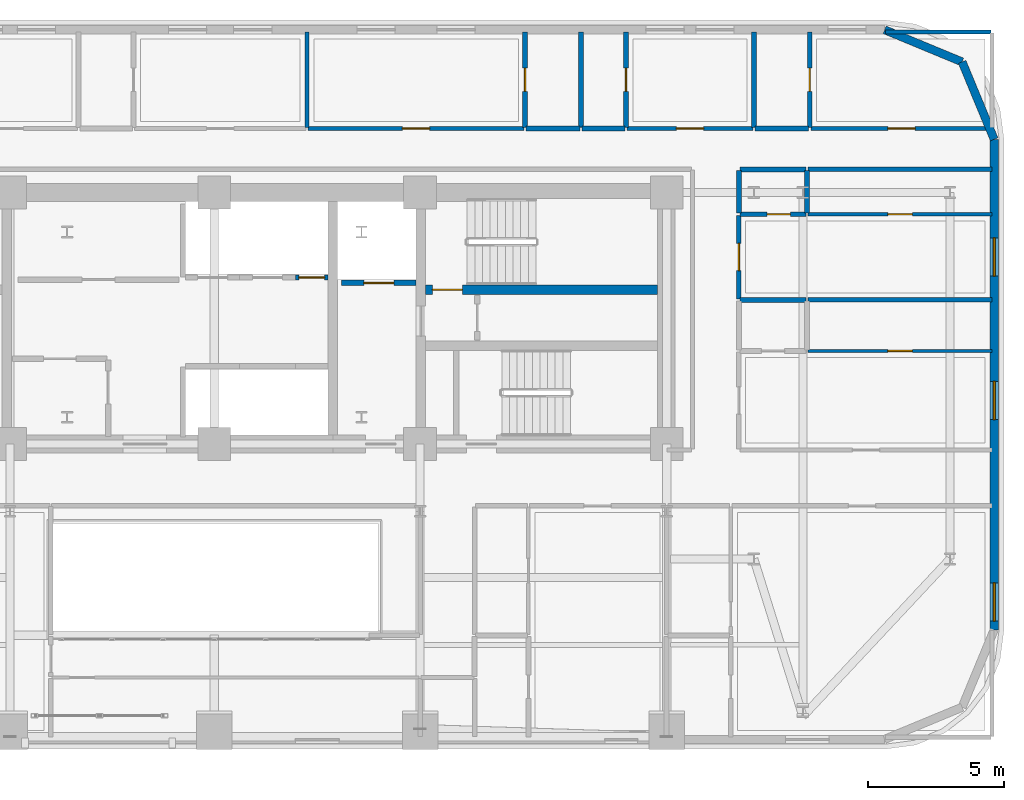
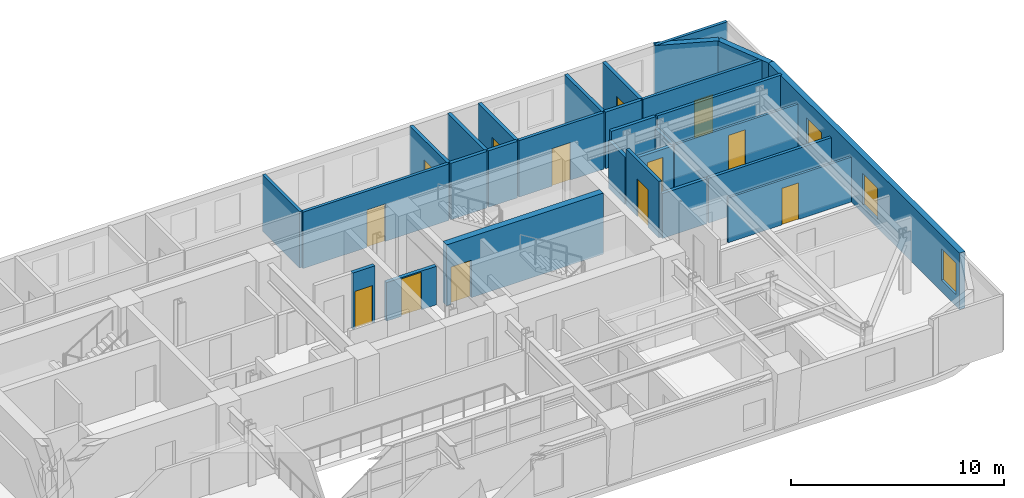
# One storey, part 12 of 16: 29 walls, 13 doors, 3 windows, 16 openings.
"""IFC4 building model written with IfcOpenShell, lengths in metres."""

from ifc_helpers import new_model, si_unit, direction, frame, frame_2d, origin, place, context, subcontext, project, spatial, rectangle, extrude, material, layer, layer_set, type_object, element, fill, save


model = new_model("IFC4")

# Units and contexts
model_context = context("Model", 3, precision=1e-05, world=origin(), true_north=direction((0.0, 1.0)))
body_context = subcontext(model_context, "Body", "Model", "MODEL_VIEW")
ifc_project = project(units=[si_unit("LENGTHUNIT", "METRE"), si_unit("AREAUNIT", "SQUARE_METRE"), si_unit("VOLUMEUNIT", "CUBIC_METRE"), si_unit("PLANEANGLEUNIT", "RADIAN"), si_unit("MASSUNIT", "GRAM", prefix="KILO")], contexts=[model_context])

# Site, building, storey
site_placement = place(None, origin())
site = spatial("IfcSite", under=ifc_project, at=site_placement, CompositionType="ELEMENT")
building_placement = place(site_placement, origin())
building = spatial("IfcBuilding", under=site, at=building_placement, Name="Zarnavel Station Tower", CompositionType="ELEMENT")
storey_placement = place(building_placement, frame((0.0, 0.0, 97.800048828125)))
storey = spatial("IfcBuildingStorey", under=building, at=storey_placement, Name="L26", CompositionType="ELEMENT", Elevation=97.800048828125)

# Wall, opening, door
ifc_material_1 = material(Name="Concrete C50/60", Category="concrete")
ifc_layer_1 = layer(ifc_material_1, 0.35009765625)
ifc_layer_set_1 = layer_set([ifc_layer_1], Name="CW_350")
wall_type_1 = type_object("IfcWallType", Name="CW_350", PredefinedType="SHEAR", material=ifc_layer_set_1)
wall_1_placement = place(storey_placement, frame((45.054931640625, 33.47998046875, 0.0), z_axis=(0.0, 0.0, 1.0), x_axis=(-1.0, 0.0, 0.0)))
wall_1 = element("IfcWall", 1, at=wall_1_placement, inside=storey, type_object=wall_type_1, Name="L26 Rear Core Shear Wall DIV-H2", PredefinedType="SHEAR", context=body_context, shape_type="SweptSolid", body=[
    extrude(rectangle(XDim=8.5, YDim=0.35009765625, at=frame_2d((4.25, 0.0))), origin(), (0.0, 0.0, 1.0), 3.5),
])
opening_1_placement = place(wall_1_placement, frame((7.155029296875, 0.0, 0.0)))
opening_1 = element("IfcOpeningElement", 2, at=opening_1_placement, cuts=wall_1, Name="Opening FD01", PredefinedType="OPENING", context=body_context, shape_type="SweptSolid", body=[
    extrude(rectangle(XDim=1.10009765625, YDim=2.14990234375, at=frame_2d((0.550048828125, 1.074951171875))), frame((0.0, 0.18505859375, 0.0), z_axis=(0.0, -1.0, 0.0), x_axis=(1.0, 0.0, 0.0)), (0.0, 0.0, 1.0), 0.3701171875),
])
ifc_material_2 = material(Name="Painted Galvanised Steel and Hardwood Leaf", Category="steel")
door_type_1 = type_object("IfcDoorType", Name="ID_STAIR_1100", OperationType="NOTDEFINED", PredefinedType="DOOR", material=ifc_material_2)
door_1_placement = place(opening_1_placement, origin())
door_1 = element("IfcDoor", 3, at=door_1_placement, inside=storey, type_object=door_type_1, Name="L26 Stair ST2 Lobby Fire Door", OperationType="SINGLE_SWING_RIGHT", OverallHeight=2.14990234375, OverallWidth=1.10009765625, PredefinedType="DOOR", context=body_context, shape_type="SweptSolid", body=[
    extrude(rectangle(XDim=1.10009765625, YDim=2.14990234375, at=frame_2d((0.550048828125, 1.074951171875))), frame((0.0, 0.02490234375, 0.0), z_axis=(0.0, -1.0, 0.0), x_axis=(1.0, 0.0, 0.0)), (0.0, 0.0, 1.0), 0.050048828125),
])
fill(opening_1, door_1)

# Wall, openings, windows
ifc_material_3 = material(Name="Precast concrete C45/55 (Dark Basalt Finish)", Category="masonry")
ifc_layer_2 = layer(ifc_material_3, 0.300048828125)
ifc_layer_set_2 = layer_set([ifc_layer_2], Name="EW_BASALT_300")
wall_type_2 = type_object("IfcWallType", Name="EW_BASALT_300", PredefinedType="SOLIDWALL", material=ifc_layer_set_2)
wall_2_placement = place(storey_placement, frame((57.419921875, 39.0, 0.0), z_axis=(0.0, 0.0, 1.0), x_axis=(0.0, -1.0, 0.0)))
wall_2 = element("IfcWall", 4, at=wall_2_placement, inside=storey, type_object=wall_type_2, Name="L26 Exterior Basalt Masonry Frame Wall 03", PredefinedType="SOLIDWALL", context=body_context, shape_type="SweptSolid", body=[
    extrude(rectangle(XDim=18.0, YDim=0.300048828125, at=frame_2d((9.0, 0.0))), origin(), (0.0, 0.0, 1.0), 3.239990234375),
])
opening_2_placement = place(wall_2_placement, frame((8.882080078125, 0.0, 0.47998046875)))
opening_2 = element("IfcOpeningElement", 5, at=opening_2_placement, cuts=wall_2, Name="Opening WN01", PredefinedType="OPENING", context=body_context, shape_type="SweptSolid", body=[
    extrude(rectangle(XDim=1.39990234375, YDim=1.800048828125, at=frame_2d((0.699951171875, 0.89990234375))), frame((0.0, 0.159912109375, 0.0), z_axis=(0.0, -1.0, 0.0), x_axis=(1.0, 0.0, 0.0)), (0.0, 0.0, 1.0), 0.320068359375),
])
opening_3_placement = place(wall_2_placement, frame((3.62060546875, 0.0, 0.47998046875)))
opening_3 = element("IfcOpeningElement", 6, at=opening_3_placement, cuts=wall_2, Name="Opening WN01", PredefinedType="OPENING", context=body_context, shape_type="SweptSolid", body=[
    extrude(rectangle(XDim=1.39990234375, YDim=1.800048828125, at=frame_2d((0.699951171875, 0.89990234375))), frame((0.0, 0.159912109375, 0.0), z_axis=(0.0, -1.0, 0.0), x_axis=(1.0, 0.0, 0.0)), (0.0, 0.0, 1.0), 0.320068359375),
])
opening_4_placement = place(wall_2_placement, frame((16.280029296875, 0.0, 0.64990234375)))
opening_4 = element("IfcOpeningElement", 7, at=opening_4_placement, cuts=wall_2, Name="Opening WN01", PredefinedType="OPENING", context=body_context, shape_type="SweptSolid", body=[
    extrude(rectangle(XDim=1.39990234375, YDim=1.800048828125, at=frame_2d((0.699951171875, 0.89990234375))), frame((0.0, 0.159912109375, 0.0), z_axis=(0.0, -1.0, 0.0), x_axis=(1.0, 0.0, 0.0)), (0.0, 0.0, 1.0), 0.320068359375),
])
ifc_material_4 = material(Name="Thermally Broken Black Aluminium and Low-E Dark Glass", Category="aluminium")
window_type = type_object("IfcWindowType", Name="WN_1400x1800", PartitioningType="DOUBLE_PANEL_VERTICAL", PredefinedType="WINDOW", material=ifc_material_4)
window_1_placement = place(opening_2_placement, origin())
window_1 = element("IfcWindow", 8, at=window_1_placement, inside=storey, type_object=window_type, Name="L26 Recessed Facade Window 01", OverallHeight=1.800048828125, OverallWidth=1.39990234375, PartitioningType="SINGLE_PANEL", PredefinedType="WINDOW", context=body_context, shape_type="SweptSolid", body=[
    extrude(rectangle(XDim=1.39990234375, YDim=1.800048828125, at=frame_2d((0.699951171875, 0.89990234375))), frame((0.0, 0.030029296875, 0.0), z_axis=(0.0, -1.0, 0.0), x_axis=(1.0, 0.0, 0.0)), (0.0, 0.0, 1.0), 0.06005859375),
])
fill(opening_2, window_1)
window_2_placement = place(opening_3_placement, origin())
window_2 = element("IfcWindow", 9, at=window_2_placement, inside=storey, type_object=window_type, Name="L26 Recessed Facade Window 02", OverallHeight=1.800048828125, OverallWidth=1.39990234375, PartitioningType="SINGLE_PANEL", PredefinedType="WINDOW", context=body_context, shape_type="SweptSolid", body=[
    extrude(rectangle(XDim=1.39990234375, YDim=1.800048828125, at=frame_2d((0.699951171875, 0.89990234375))), frame((0.0, 0.030029296875, 0.0), z_axis=(0.0, -1.0, 0.0), x_axis=(1.0, 0.0, 0.0)), (0.0, 0.0, 1.0), 0.06005859375),
])
fill(opening_3, window_2)
window_3_placement = place(opening_4_placement, origin())
window_3 = element("IfcWindow", 10, at=window_3_placement, inside=storey, type_object=window_type, Name="L26 Recessed Facade Window 03", OverallHeight=1.800048828125, OverallWidth=1.39990234375, PartitioningType="SINGLE_PANEL", PredefinedType="WINDOW", context=body_context, shape_type="SweptSolid", body=[
    extrude(rectangle(XDim=1.39990234375, YDim=1.800048828125, at=frame_2d((0.699951171875, 0.89990234375))), frame((0.0, 0.030029296875, 0.0), z_axis=(0.0, -1.0, 0.0), x_axis=(1.0, 0.0, 0.0)), (0.0, 0.0, 1.0), 0.06005859375),
])
fill(opening_4, window_3)

# Walls
wall_3_placement = place(storey_placement, frame((56.24267578125, 41.842529296875, 0.0), z_axis=(0.0, 0.0, 1.0), x_axis=(0.382636798336, -0.92389884758, 0.0)))
element("IfcWall", 11, at=wall_3_placement, inside=storey, type_object=wall_type_2, Name="L26 Exterior Basalt Masonry Frame Wall 04", PredefinedType="SOLIDWALL", context=body_context, shape_type="SweptSolid", body=[
    extrude(rectangle(XDim=3.07666015625, YDim=0.300048828125, at=frame_2d((1.538330078125, 0.0))), origin(), (0.0, 0.0, 1.0), 3.239990234375),
])
wall_4_placement = place(storey_placement, frame((53.39990234375, 43.02001953125, 0.0), z_axis=(0.0, 0.0, 1.0), x_axis=(0.923882414032, -0.382676475685, 0.0)))
element("IfcWall", 12, at=wall_4_placement, inside=storey, type_object=wall_type_2, Name="L26 Exterior Basalt Masonry Frame Wall 05", PredefinedType="SOLIDWALL", context=body_context, shape_type="SweptSolid", body=[
    extrude(rectangle(XDim=3.076904296875, YDim=0.300048828125, at=frame_2d((1.53857421875, 0.0))), origin(), (0.0, 0.0, 1.0), 3.239990234375),
])

# Wall, opening, door
ifc_material_5 = material(Name="Gypsum Twin-Stud Acoustic Fire Partition", Category="concrete")
ifc_layer_3 = layer(ifc_material_5, 0.159912109375)
ifc_layer_set_3 = layer_set([ifc_layer_3], Name="PT_DEMISE_160")
wall_type_3 = type_object("IfcWallType", Name="PT_DEMISE_160", PredefinedType="PARTITIONING", material=ifc_layer_set_3)
wall_5_placement = place(storey_placement, frame((48.050048828125, 33.14892578125, 0.0), z_axis=(0.0, 0.0, 1.0), x_axis=(0.0, 1.0, 0.0)))
wall_5 = element("IfcWall", 13, at=wall_5_placement, inside=storey, type_object=wall_type_3, Name="L26 Partition COR-E-FNE2R", PredefinedType="PARTITIONING", context=body_context, shape_type="SweptSolid", body=[
    extrude(rectangle(XDim=3.06103515625, YDim=0.159912109375, at=frame_2d((1.530517578125, 0.0))), origin(), (0.0, 0.0, 1.0), 3.239990234375),
])
opening_5_placement = place(wall_5_placement, frame((1.030517578125, 0.0, 0.0)))
opening_5 = element("IfcOpeningElement", 14, at=opening_5_placement, cuts=wall_5, Name="Opening FD02", PredefinedType="OPENING", context=body_context, shape_type="SweptSolid", body=[
    extrude(rectangle(XDim=1.0, YDim=2.14990234375, at=frame_2d((0.5, 1.074951171875))), frame((0.0, 0.08984375, 0.0), z_axis=(0.0, -1.0, 0.0), x_axis=(1.0, 0.0, 0.0)), (0.0, 0.0, 1.0), 0.179931640625),
])
ifc_material_6 = material(Name="Painted Galvanised Steel and Hardwood Leaf", Category="steel")
door_type_2 = type_object("IfcDoorType", Name="ID_ENTRY_1000", OperationType="NOTDEFINED", PredefinedType="DOOR", material=ifc_material_6)
door_2_placement = place(opening_5_placement, origin())
door_2 = element("IfcDoor", 15, at=door_2_placement, inside=storey, type_object=door_type_2, Name="L26 Door COR-E-FNE2R", OperationType="SINGLE_SWING_LEFT", OverallHeight=2.14990234375, OverallWidth=1.0, PredefinedType="DOOR", context=body_context, shape_type="SweptSolid", body=[
    extrude(rectangle(XDim=1.0, YDim=2.14990234375, at=frame_2d((0.5, 1.074951171875))), frame((0.0, 0.02490234375, 0.0), z_axis=(0.0, -1.0, 0.0), x_axis=(1.0, 0.0, 0.0)), (0.0, 0.0, 1.0), 0.050048828125),
])
fill(opening_5, door_2)

# Wall
wall_6_placement = place(storey_placement, frame((50.590087890625, 37.89990234375, 0.0), z_axis=(0.0, 0.0, 1.0), x_axis=(1.0, 0.0, 0.0)))
element("IfcWall", 16, at=wall_6_placement, inside=storey, type_object=wall_type_3, Name="L26 Partition COR-N-FNE2S", PredefinedType="PARTITIONING", context=body_context, shape_type="SweptSolid", body=[
    extrude(rectangle(XDim=6.75, YDim=0.159912109375, at=frame_2d((3.375, 0.0))), origin(), (0.0, 0.0, 1.0), 3.239990234375),
])

# Wall, opening, door
wall_7_placement = place(storey_placement, frame((32.239990234375, 39.39990234375, 0.0), z_axis=(0.0, 0.0, 1.0), x_axis=(1.0, 0.0, 0.0)))
wall_7 = element("IfcWall", 17, at=wall_7_placement, inside=storey, type_object=wall_type_3, Name="L26 Partition COR-N-HN4R", PredefinedType="PARTITIONING", context=body_context, shape_type="SweptSolid", body=[
    extrude(rectangle(XDim=7.926025390625, YDim=0.159912109375, at=frame_2d((3.962890625, 0.0))), origin(), (0.0, 0.0, 1.0), 3.239990234375),
])
opening_6_placement = place(wall_7_placement, frame((3.462890625, 0.0, 0.0)))
opening_6 = element("IfcOpeningElement", 18, at=opening_6_placement, cuts=wall_7, Name="Opening FD02", PredefinedType="OPENING", context=body_context, shape_type="SweptSolid", body=[
    extrude(rectangle(XDim=1.0, YDim=2.14990234375, at=frame_2d((0.5, 1.074951171875))), frame((0.0, 0.08984375, 0.0), z_axis=(0.0, -1.0, 0.0), x_axis=(1.0, 0.0, 0.0)), (0.0, 0.0, 1.0), 0.179931640625),
])
door_3_placement = place(opening_6_placement, origin())
door_3 = element("IfcDoor", 19, at=door_3_placement, inside=storey, type_object=door_type_2, Name="L26 Door COR-N-HN4R", OperationType="SINGLE_SWING_RIGHT", OverallHeight=2.14990234375, OverallWidth=1.0, PredefinedType="DOOR", context=body_context, shape_type="SweptSolid", body=[
    extrude(rectangle(XDim=1.0, YDim=2.14990234375, at=frame_2d((0.5, 1.074951171875))), frame((0.0, 0.02490234375, 0.0), z_axis=(0.0, -1.0, 0.0), x_axis=(1.0, 0.0, 0.0)), (0.0, 0.0, 1.0), 0.050048828125),
])
fill(opening_6, door_3)

wall_8_placement = place(storey_placement, frame((43.946044921875, 39.39990234375, 0.0), z_axis=(0.0, 0.0, 1.0), x_axis=(1.0, 0.0, 0.0)))
wall_8 = element("IfcWall", 20, at=wall_8_placement, inside=storey, type_object=wall_type_3, Name="L26 Partition COR-N-HN5R", PredefinedType="PARTITIONING", context=body_context, shape_type="SweptSolid", body=[
    extrude(rectangle(XDim=4.614013671875, YDim=0.159912109375, at=frame_2d((2.30712890625, 0.0))), origin(), (0.0, 0.0, 1.0), 3.239990234375),
])
opening_7_placement = place(wall_8_placement, frame((1.806884765625, 0.0, 0.0)))
opening_7 = element("IfcOpeningElement", 21, at=opening_7_placement, cuts=wall_8, Name="Opening FD02", PredefinedType="OPENING", context=body_context, shape_type="SweptSolid", body=[
    extrude(rectangle(XDim=1.0, YDim=2.14990234375, at=frame_2d((0.5, 1.074951171875))), frame((0.0, 0.08984375, 0.0), z_axis=(0.0, -1.0, 0.0), x_axis=(1.0, 0.0, 0.0)), (0.0, 0.0, 1.0), 0.179931640625),
])
door_4_placement = place(opening_7_placement, origin())
door_4 = element("IfcDoor", 22, at=door_4_placement, inside=storey, type_object=door_type_2, Name="L26 Door COR-N-HN5R", OperationType="SINGLE_SWING_LEFT", OverallHeight=2.14990234375, OverallWidth=1.0, PredefinedType="DOOR", context=body_context, shape_type="SweptSolid", body=[
    extrude(rectangle(XDim=1.0, YDim=2.14990234375, at=frame_2d((0.5, 1.074951171875))), frame((0.0, 0.02490234375, 0.0), z_axis=(0.0, -1.0, 0.0), x_axis=(1.0, 0.0, 0.0)), (0.0, 0.0, 1.0), 0.050048828125),
])
fill(opening_7, door_4)

wall_9_placement = place(storey_placement, frame((50.68994140625, 39.39990234375, 0.0), z_axis=(0.0, 0.0, 1.0), x_axis=(1.0, 0.0, 0.0)))
wall_9 = element("IfcWall", 23, at=wall_9_placement, inside=storey, type_object=wall_type_3, Name="L26 Partition COR-N-HN6R", PredefinedType="PARTITIONING", context=body_context, shape_type="SweptSolid", body=[
    extrude(rectangle(XDim=6.650146484375, YDim=0.159912109375, at=frame_2d((3.3251953125, 0.0))), origin(), (0.0, 0.0, 1.0), 3.239990234375),
])
opening_8_placement = place(wall_9_placement, frame((2.824951171875, 0.0, 0.0)))
opening_8 = element("IfcOpeningElement", 24, at=opening_8_placement, cuts=wall_9, Name="Opening FD02", PredefinedType="OPENING", context=body_context, shape_type="SweptSolid", body=[
    extrude(rectangle(XDim=1.0, YDim=2.14990234375, at=frame_2d((0.5, 1.074951171875))), frame((0.0, 0.08984375, 0.0), z_axis=(0.0, -1.0, 0.0), x_axis=(1.0, 0.0, 0.0)), (0.0, 0.0, 1.0), 0.179931640625),
])
door_5_placement = place(opening_8_placement, origin())
door_5 = element("IfcDoor", 25, at=door_5_placement, inside=storey, type_object=door_type_2, Name="L26 Door COR-N-HN6R", OperationType="SINGLE_SWING_RIGHT", OverallHeight=2.14990234375, OverallWidth=1.0, PredefinedType="DOOR", context=body_context, shape_type="SweptSolid", body=[
    extrude(rectangle(XDim=1.0, YDim=2.14990234375, at=frame_2d((0.5, 1.074951171875))), frame((0.0, 0.02490234375, 0.0), z_axis=(0.0, -1.0, 0.0), x_axis=(1.0, 0.0, 0.0)), (0.0, 0.0, 1.0), 0.050048828125),
])
fill(opening_8, door_5)

# Walls
wall_10_placement = place(storey_placement, frame((50.590087890625, 33.10888671875, 0.0), z_axis=(0.0, 0.0, 1.0), x_axis=(1.0, 0.0, 0.0)))
element("IfcWall", 26, at=wall_10_placement, inside=storey, type_object=wall_type_3, Name="L26 Partition FNE1S-FNE2R", PredefinedType="PARTITIONING", context=body_context, shape_type="SweptSolid", body=[
    extrude(rectangle(XDim=6.75, YDim=0.159912109375, at=frame_2d((3.375, 0.0))), origin(), (0.0, 0.0, 1.0), 2.570068359375),
])
wall_11_placement = place(storey_placement, frame((32.199951171875, 39.43994140625, 0.0), z_axis=(0.0, 0.0, 1.0), x_axis=(0.0, 1.0, 0.0)))
element("IfcWall", 27, at=wall_11_placement, inside=storey, type_object=wall_type_3, Name="L26 Partition HN3R-HN4R", PredefinedType="PARTITIONING", context=body_context, shape_type="SweptSolid", body=[
    extrude(rectangle(XDim=3.5, YDim=0.159912109375, at=frame_2d((1.75, 0.0))), origin(), (0.0, 0.0, 1.0), 3.239990234375),
])
wall_12_placement = place(storey_placement, frame((53.429931640625, 42.93994140625, 0.0), z_axis=(0.0, 0.0, 1.0), x_axis=(1.0, 0.0, 0.0)))
element("IfcWall", 28, at=wall_12_placement, inside=storey, type_object=wall_type_3, Name="L26 Enclosure Wall HN6R", PredefinedType="PARTITIONING", context=body_context, shape_type="SweptSolid", body=[
    extrude(rectangle(XDim=3.880126953125, YDim=0.159912109375, at=frame_2d((1.93994140625, 0.0))), origin(), (0.0, 0.0, 1.0), 3.239990234375),
])

# Wall, opening, door
ifc_material_7 = material(Name="Gypsum Metal-Stud Interior Partition", Category="concrete")
ifc_layer_4 = layer(ifc_material_7, 0.1201171875)
ifc_layer_set_4 = layer_set([ifc_layer_4], Name="PT_ROOM_120")
wall_type_4 = type_object("IfcWallType", Name="PT_ROOM_120", PredefinedType="PARTITIONING", material=ifc_layer_set_4)
wall_13_placement = place(storey_placement, frame((50.590087890625, 31.236083984375, 0.0), z_axis=(0.0, 0.0, 1.0), x_axis=(1.0, 0.0, 0.0)))
wall_13 = element("IfcWall", 29, at=wall_13_placement, inside=storey, type_object=wall_type_4, Name="L26 Partition FNE1R-FNE1S", PredefinedType="PARTITIONING", context=body_context, shape_type="SweptSolid", body=[
    extrude(rectangle(XDim=6.75, YDim=0.1201171875, at=frame_2d((3.375, 0.0))), origin(), (0.0, 0.0, 1.0), 2.570068359375),
])
opening_9_placement = place(wall_13_placement, frame((2.925048828125, 0.0, 0.0)))
opening_9 = element("IfcOpeningElement", 30, at=opening_9_placement, cuts=wall_13, Name="Opening ID01", PredefinedType="OPENING", context=body_context, shape_type="SweptSolid", body=[
    extrude(rectangle(XDim=0.89990234375, YDim=2.10009765625, at=frame_2d((0.449951171875, 1.050048828125))), frame((0.0, 0.070068359375, 0.0), z_axis=(0.0, -1.0, 0.0), x_axis=(1.0, 0.0, 0.0)), (0.0, 0.0, 1.0), 0.14013671875),
])
ifc_material_8 = material(Name="Painted Galvanised Steel and Hardwood Leaf", Category="steel")
door_type_3 = type_object("IfcDoorType", Name="ID_ROOM_900", OperationType="NOTDEFINED", PredefinedType="DOOR", material=ifc_material_8)
door_6_placement = place(opening_9_placement, origin())
door_6 = element("IfcDoor", 31, at=door_6_placement, inside=storey, type_object=door_type_3, Name="L26 Door FNE1R-FNE1S", OperationType="SINGLE_SWING_RIGHT", OverallHeight=2.10009765625, OverallWidth=0.89990234375, PredefinedType="DOOR", context=body_context, shape_type="SweptSolid", body=[
    extrude(rectangle(XDim=0.89990234375, YDim=2.10009765625, at=frame_2d((0.449951171875, 1.050048828125))), frame((0.0, 0.02490234375, 0.0), z_axis=(0.0, -1.0, 0.0), x_axis=(1.0, 0.0, 0.0)), (0.0, 0.0, 1.0), 0.050048828125),
])
fill(opening_9, door_6)

wall_14_placement = place(storey_placement, frame((50.590087890625, 36.25, 0.0), z_axis=(0.0, 0.0, 1.0), x_axis=(1.0, 0.0, 0.0)))
wall_14 = element("IfcWall", 32, at=wall_14_placement, inside=storey, type_object=wall_type_4, Name="L26 Partition FNE2R-FNE2S", PredefinedType="PARTITIONING", context=body_context, shape_type="SweptSolid", body=[
    extrude(rectangle(XDim=6.75, YDim=0.1201171875, at=frame_2d((3.375, 0.0))), origin(), (0.0, 0.0, 1.0), 2.570068359375),
])
opening_10_placement = place(wall_14_placement, frame((2.925048828125, 0.0, 0.0)))
opening_10 = element("IfcOpeningElement", 33, at=opening_10_placement, cuts=wall_14, Name="Opening ID01", PredefinedType="OPENING", context=body_context, shape_type="SweptSolid", body=[
    extrude(rectangle(XDim=0.89990234375, YDim=2.10009765625, at=frame_2d((0.449951171875, 1.050048828125))), frame((0.0, 0.070068359375, 0.0), z_axis=(0.0, -1.0, 0.0), x_axis=(1.0, 0.0, 0.0)), (0.0, 0.0, 1.0), 0.14013671875),
])
door_7_placement = place(opening_10_placement, origin())
door_7 = element("IfcDoor", 34, at=door_7_placement, inside=storey, type_object=door_type_3, Name="L26 Door FNE2R-FNE2S", OperationType="SINGLE_SWING_RIGHT", OverallHeight=2.10009765625, OverallWidth=0.89990234375, PredefinedType="DOOR", context=body_context, shape_type="SweptSolid", body=[
    extrude(rectangle(XDim=0.89990234375, YDim=2.10009765625, at=frame_2d((0.449951171875, 1.050048828125))), frame((0.0, 0.02490234375, 0.0), z_axis=(0.0, -1.0, 0.0), x_axis=(1.0, 0.0, 0.0)), (0.0, 0.0, 1.0), 0.050048828125),
])
fill(opening_10, door_7)

ifc_material_9 = material(Name="Precast concrete C45/55 (Fire Shaft Blockwork)", Category="masonry")
ifc_layer_5 = layer(ifc_material_9, 0.199951171875)
ifc_layer_set_5 = layer_set([ifc_layer_5], Name="PT_SHAFT_200")
wall_type_5 = type_object("IfcWallType", Name="PT_SHAFT_200", PredefinedType="PARTITIONING", material=ifc_layer_set_5)
wall_15_placement = place(storey_placement, frame((33.47509765625, 33.72998046875, 0.0), z_axis=(0.0, 0.0, 1.0), x_axis=(1.0, 0.0, 0.0)))
wall_15 = element("IfcWall", 35, at=wall_15_placement, inside=storey, type_object=wall_type_5, Name="L26 Lift FFL-02 Shaft Front Wall", PredefinedType="PARTITIONING", context=body_context, shape_type="SweptSolid", body=[
    extrude(rectangle(XDim=2.724853515625, YDim=0.199951171875, at=frame_2d((1.3623046875, 0.0))), origin(), (0.0, 0.0, 1.0), 2.2119140625),
])
opening_11_placement = place(wall_15_placement, frame((0.8125, 0.0, 0.0)))
opening_11 = element("IfcOpeningElement", 36, at=opening_11_placement, cuts=wall_15, Name="Opening LD01", PredefinedType="OPENING", context=body_context, shape_type="SweptSolid", body=[
    extrude(rectangle(XDim=1.10009765625, YDim=2.14990234375, at=frame_2d((0.550048828125, 1.074951171875))), frame((0.0, 0.10986328125, 0.0), z_axis=(0.0, -1.0, 0.0), x_axis=(1.0, 0.0, 0.0)), (0.0, 0.0, 1.0), 0.219970703125),
])
ifc_material_10 = material(Name="Painted Galvanised Steel and Hardwood Leaf", Category="steel")
door_type_4 = type_object("IfcDoorType", Name="LD_FF_1100", OperationType="DOUBLE_DOOR_SLIDING", PredefinedType="DOOR", material=ifc_material_10)
door_8_placement = place(opening_11_placement, origin())
door_8 = element("IfcDoor", 37, at=door_8_placement, inside=storey, type_object=door_type_4, Name="L26 Lift FFL-02 Sliding Landing Door", OperationType="DOUBLE_DOOR_SLIDING", OverallHeight=2.14990234375, OverallWidth=1.10009765625, PredefinedType="DOOR", context=body_context, shape_type="SweptSolid", body=[
    extrude(rectangle(XDim=1.10009765625, YDim=2.14990234375, at=frame_2d((0.550048828125, 1.074951171875))), frame((0.0, 0.02490234375, 0.0), z_axis=(0.0, -1.0, 0.0), x_axis=(1.0, 0.0, 0.0)), (0.0, 0.0, 1.0), 0.050048828125),
])
fill(opening_11, door_8)

wall_16_placement = place(storey_placement, frame((31.77490234375, 33.929931640625, 0.0), z_axis=(0.0, 0.0, 1.0), x_axis=(1.0, 0.0, 0.0)))
wall_16 = element("IfcWall", 38, at=wall_16_placement, inside=storey, type_object=wall_type_5, Name="L26 Lift PL-M3 Shaft Front Wall", PredefinedType="PARTITIONING", context=body_context, shape_type="SweptSolid", body=[
    extrude(rectangle(XDim=1.2001953125, YDim=0.199951171875, at=frame_2d((0.60009765625, 0.0))), origin(), (0.0, 0.0, 1.0), 3.239990234375),
])
opening_12_placement = place(wall_16_placement, frame((0.125, 0.0, 0.0)))
opening_12 = element("IfcOpeningElement", 39, at=opening_12_placement, cuts=wall_16, Name="Opening LD03", PredefinedType="OPENING", context=body_context, shape_type="SweptSolid", body=[
    extrude(rectangle(XDim=0.949951171875, YDim=2.14990234375, at=frame_2d((0.47509765625, 1.074951171875))), frame((0.0, 0.10986328125, 0.0), z_axis=(0.0, -1.0, 0.0), x_axis=(1.0, 0.0, 0.0)), (0.0, 0.0, 1.0), 0.219970703125),
])
ifc_material_11 = material(Name="Painted Galvanised Steel and Hardwood Leaf", Category="steel")
door_type_5 = type_object("IfcDoorType", Name="LD_PAX_0950", OperationType="DOUBLE_DOOR_SLIDING", PredefinedType="DOOR", material=ifc_material_11)
door_9_placement = place(opening_12_placement, origin())
door_9 = element("IfcDoor", 40, at=door_9_placement, inside=storey, type_object=door_type_5, Name="L26 Lift PL-M3 Sliding Landing Door", OperationType="DOUBLE_DOOR_SLIDING", OverallHeight=2.14990234375, OverallWidth=0.949951171875, PredefinedType="DOOR", context=body_context, shape_type="SweptSolid", body=[
    extrude(rectangle(XDim=0.949951171875, YDim=2.14990234375, at=frame_2d((0.47509765625, 1.074951171875))), frame((0.0, 0.02490234375, 0.0), z_axis=(0.0, -1.0, 0.0), x_axis=(1.0, 0.0, 0.0)), (0.0, 0.0, 1.0), 0.050048828125),
])
fill(opening_12, door_9)

# Walls
ifc_material_12 = material(Name="Moisture-Resistant Plumbing Chase Wall", Category="concrete")
ifc_layer_6 = layer(ifc_material_12, 0.179931640625)
ifc_layer_set_6 = layer_set([ifc_layer_6], Name="PW_PLUMB_180")
wall_type_6 = type_object("IfcWallType", Name="PW_PLUMB_180", PredefinedType="PLUMBINGWALL", material=ifc_layer_set_6)
wall_17_placement = place(storey_placement, frame((48.050048828125, 36.2900390625, 0.0), z_axis=(0.0, 0.0, 1.0), x_axis=(0.0, 1.0, 0.0)))
element("IfcWall", 41, at=wall_17_placement, inside=storey, type_object=wall_type_6, Name="L26 Partition COR-E-FNE2B", PredefinedType="PLUMBINGWALL", context=body_context, shape_type="SweptSolid", body=[
    extrude(rectangle(XDim=1.570068359375, YDim=0.179931640625, at=frame_2d((0.78515625, 0.0))), origin(), (0.0, 0.0, 1.0), 2.719970703125),
])
wall_18_placement = place(storey_placement, frame((48.090087890625, 37.89990234375, 0.0), z_axis=(0.0, 0.0, 1.0), x_axis=(1.0, 0.0, 0.0)))
element("IfcWall", 42, at=wall_18_placement, inside=storey, type_object=wall_type_6, Name="L26 Partition COR-N-FNE2B", PredefinedType="PLUMBINGWALL", context=body_context, shape_type="SweptSolid", body=[
    extrude(rectangle(XDim=2.419921875, YDim=0.179931640625, at=frame_2d((1.2099609375, 0.0))), origin(), (0.0, 0.0, 1.0), 3.239990234375),
])
wall_19_placement = place(storey_placement, frame((40.24609375, 39.39990234375, 0.0), z_axis=(0.0, 0.0, 1.0), x_axis=(1.0, 0.0, 0.0)))
element("IfcWall", 43, at=wall_19_placement, inside=storey, type_object=wall_type_6, Name="L26 Partition COR-N-HN4B", PredefinedType="PLUMBINGWALL", context=body_context, shape_type="SweptSolid", body=[
    extrude(rectangle(XDim=1.969970703125, YDim=0.179931640625, at=frame_2d((0.98486328125, 0.0))), origin(), (0.0, 0.0, 1.0), 3.239990234375),
])
wall_20_placement = place(storey_placement, frame((42.2958984375, 39.39990234375, 0.0), z_axis=(0.0, 0.0, 1.0), x_axis=(1.0, 0.0, 0.0)))
element("IfcWall", 44, at=wall_20_placement, inside=storey, type_object=wall_type_6, Name="L26 Partition COR-N-HN5B", PredefinedType="PLUMBINGWALL", context=body_context, shape_type="SweptSolid", body=[
    extrude(rectangle(XDim=1.570068359375, YDim=0.179931640625, at=frame_2d((0.78515625, 0.0))), origin(), (0.0, 0.0, 1.0), 3.239990234375),
])
wall_21_placement = place(storey_placement, frame((48.639892578125, 39.39990234375, 0.0), z_axis=(0.0, 0.0, 1.0), x_axis=(1.0, 0.0, 0.0)))
element("IfcWall", 45, at=wall_21_placement, inside=storey, type_object=wall_type_6, Name="L26 Partition COR-N-HN6B", PredefinedType="PLUMBINGWALL", context=body_context, shape_type="SweptSolid", body=[
    extrude(rectangle(XDim=1.97021484375, YDim=0.179931640625, at=frame_2d((0.985107421875, 0.0))), origin(), (0.0, 0.0, 1.0), 3.239990234375),
])
wall_22_placement = place(storey_placement, frame((48.090087890625, 33.10888671875, 0.0), z_axis=(0.0, 0.0, 1.0), x_axis=(1.0, 0.0, 0.0)))
element("IfcWall", 46, at=wall_22_placement, inside=storey, type_object=wall_type_6, Name="L26 Partition FNE1B-FNE2R", PredefinedType="PLUMBINGWALL", context=body_context, shape_type="SweptSolid", body=[
    extrude(rectangle(XDim=2.419921875, YDim=0.179931640625, at=frame_2d((1.2099609375, 0.0))), origin(), (0.0, 0.0, 1.0), 2.570068359375),
])

# Wall, opening, door
wall_23_placement = place(storey_placement, frame((50.510009765625, 36.25, 0.0), z_axis=(0.0, 0.0, 1.0), x_axis=(-1.0, 0.0, 0.0)))
wall_23 = element("IfcWall", 47, at=wall_23_placement, inside=storey, type_object=wall_type_6, Name="L26 Partition FNE2R-FNE2B", PredefinedType="PLUMBINGWALL", context=body_context, shape_type="SweptSolid", body=[
    extrude(rectangle(XDim=2.419921875, YDim=0.179931640625, at=frame_2d((1.2099609375, 0.0))), origin(), (0.0, 0.0, 1.0), 2.570068359375),
])
opening_13_placement = place(wall_23_placement, frame((0.570068359375, 0.0, 0.0)))
opening_13 = element("IfcOpeningElement", 48, at=opening_13_placement, cuts=wall_23, Name="Opening ID02", PredefinedType="OPENING", context=body_context, shape_type="SweptSolid", body=[
    extrude(rectangle(XDim=0.85009765625, YDim=2.10009765625, at=frame_2d((0.425048828125, 1.050048828125))), frame((0.0, 0.099853515625, 0.0), z_axis=(0.0, -1.0, 0.0), x_axis=(1.0, 0.0, 0.0)), (0.0, 0.0, 1.0), 0.199951171875),
])
ifc_material_13 = material(Name="Painted Galvanised Steel and Hardwood Leaf", Category="steel")
door_type_6 = type_object("IfcDoorType", Name="ID_BATH_850", OperationType="NOTDEFINED", PredefinedType="DOOR", material=ifc_material_13)
door_10_placement = place(opening_13_placement, origin())
door_10 = element("IfcDoor", 49, at=door_10_placement, inside=storey, type_object=door_type_6, Name="L26 Door FNE2R-FNE2B", OperationType="SINGLE_SWING_LEFT", OverallHeight=2.10009765625, OverallWidth=0.85009765625, PredefinedType="DOOR", context=body_context, shape_type="SweptSolid", body=[
    extrude(rectangle(XDim=0.85009765625, YDim=2.10009765625, at=frame_2d((0.425048828125, 1.050048828125))), frame((0.0, 0.02490234375, 0.0), z_axis=(0.0, -1.0, 0.0), x_axis=(1.0, 0.0, 0.0)), (0.0, 0.0, 1.0), 0.050048828125),
])
fill(opening_13, door_10)

# Wall
wall_24_placement = place(storey_placement, frame((50.550048828125, 36.2900390625, 0.0), z_axis=(0.0, 0.0, 1.0), x_axis=(0.0, 1.0, 0.0)))
element("IfcWall", 50, at=wall_24_placement, inside=storey, type_object=wall_type_6, Name="L26 Partition FNE2B-FNE2S", PredefinedType="PLUMBINGWALL", context=body_context, shape_type="SweptSolid", body=[
    extrude(rectangle(XDim=1.570068359375, YDim=0.179931640625, at=frame_2d((0.78515625, 0.0))), origin(), (0.0, 0.0, 1.0), 2.570068359375),
])

# Wall, opening, door
wall_25_placement = place(storey_placement, frame((40.2060546875, 39.43994140625, 0.0), z_axis=(0.0, 0.0, 1.0), x_axis=(0.0, 1.0, 0.0)))
wall_25 = element("IfcWall", 51, at=wall_25_placement, inside=storey, type_object=wall_type_6, Name="L26 Partition HN4R-HN4B", PredefinedType="PLUMBINGWALL", context=body_context, shape_type="SweptSolid", body=[
    extrude(rectangle(XDim=3.5, YDim=0.179931640625, at=frame_2d((1.75, 0.0))), origin(), (0.0, 0.0, 1.0), 3.239990234375),
])
opening_14_placement = place(wall_25_placement, frame((1.324951171875, 0.0, 0.0)))
opening_14 = element("IfcOpeningElement", 52, at=opening_14_placement, cuts=wall_25, Name="Opening ID02", PredefinedType="OPENING", context=body_context, shape_type="SweptSolid", body=[
    extrude(rectangle(XDim=0.85009765625, YDim=2.10009765625, at=frame_2d((0.425048828125, 1.050048828125))), frame((0.0, 0.099853515625, 0.0), z_axis=(0.0, -1.0, 0.0), x_axis=(1.0, 0.0, 0.0)), (0.0, 0.0, 1.0), 0.199951171875),
])
door_11_placement = place(opening_14_placement, origin())
door_11 = element("IfcDoor", 53, at=door_11_placement, inside=storey, type_object=door_type_6, Name="L26 Door HN4R-HN4B", OperationType="SINGLE_SWING_RIGHT", OverallHeight=2.10009765625, OverallWidth=0.85009765625, PredefinedType="DOOR", context=body_context, shape_type="SweptSolid", body=[
    extrude(rectangle(XDim=0.85009765625, YDim=2.10009765625, at=frame_2d((0.425048828125, 1.050048828125))), frame((0.0, 0.02490234375, 0.0), z_axis=(0.0, -1.0, 0.0), x_axis=(1.0, 0.0, 0.0)), (0.0, 0.0, 1.0), 0.050048828125),
])
fill(opening_14, door_11)

# Wall
wall_26_placement = place(storey_placement, frame((42.256103515625, 39.43994140625, 0.0), z_axis=(0.0, 0.0, 1.0), x_axis=(0.0, 1.0, 0.0)))
element("IfcWall", 54, at=wall_26_placement, inside=storey, type_object=wall_type_6, Name="L26 Partition HN4B-HN5B", PredefinedType="PLUMBINGWALL", context=body_context, shape_type="SweptSolid", body=[
    extrude(rectangle(XDim=3.5, YDim=0.179931640625, at=frame_2d((1.75, 0.0))), origin(), (0.0, 0.0, 1.0), 3.239990234375),
])

# Wall, opening, door
wall_27_placement = place(storey_placement, frame((43.906005859375, 39.43994140625, 0.0), z_axis=(0.0, 0.0, 1.0), x_axis=(0.0, 1.0, 0.0)))
wall_27 = element("IfcWall", 55, at=wall_27_placement, inside=storey, type_object=wall_type_6, Name="L26 Partition HN5R-HN5B", PredefinedType="PLUMBINGWALL", context=body_context, shape_type="SweptSolid", body=[
    extrude(rectangle(XDim=3.5, YDim=0.179931640625, at=frame_2d((1.75, 0.0))), origin(), (0.0, 0.0, 1.0), 3.239990234375),
])
opening_15_placement = place(wall_27_placement, frame((1.324951171875, 0.0, 0.0)))
opening_15 = element("IfcOpeningElement", 56, at=opening_15_placement, cuts=wall_27, Name="Opening ID02", PredefinedType="OPENING", context=body_context, shape_type="SweptSolid", body=[
    extrude(rectangle(XDim=0.85009765625, YDim=2.10009765625, at=frame_2d((0.425048828125, 1.050048828125))), frame((0.0, 0.099853515625, 0.0), z_axis=(0.0, -1.0, 0.0), x_axis=(1.0, 0.0, 0.0)), (0.0, 0.0, 1.0), 0.199951171875),
])
door_12_placement = place(opening_15_placement, origin())
door_12 = element("IfcDoor", 57, at=door_12_placement, inside=storey, type_object=door_type_6, Name="L26 Door HN5R-HN5B", OperationType="SINGLE_SWING_LEFT", OverallHeight=2.10009765625, OverallWidth=0.85009765625, PredefinedType="DOOR", context=body_context, shape_type="SweptSolid", body=[
    extrude(rectangle(XDim=0.85009765625, YDim=2.10009765625, at=frame_2d((0.425048828125, 1.050048828125))), frame((0.0, 0.02490234375, 0.0), z_axis=(0.0, -1.0, 0.0), x_axis=(1.0, 0.0, 0.0)), (0.0, 0.0, 1.0), 0.050048828125),
])
fill(opening_15, door_12)

# Wall
wall_28_placement = place(storey_placement, frame((48.60009765625, 39.43994140625, 0.0), z_axis=(0.0, 0.0, 1.0), x_axis=(0.0, 1.0, 0.0)))
element("IfcWall", 58, at=wall_28_placement, inside=storey, type_object=wall_type_6, Name="L26 Partition HN5R-HN6B", PredefinedType="PLUMBINGWALL", context=body_context, shape_type="SweptSolid", body=[
    extrude(rectangle(XDim=3.5, YDim=0.179931640625, at=frame_2d((1.75, 0.0))), origin(), (0.0, 0.0, 1.0), 3.239990234375),
])

# Wall, opening, door
wall_29_placement = place(storey_placement, frame((50.64990234375, 39.43994140625, 0.0), z_axis=(0.0, 0.0, 1.0), x_axis=(0.0, 1.0, 0.0)))
wall_29 = element("IfcWall", 59, at=wall_29_placement, inside=storey, type_object=wall_type_6, Name="L26 Partition HN6R-HN6B", PredefinedType="PLUMBINGWALL", context=body_context, shape_type="SweptSolid", body=[
    extrude(rectangle(XDim=3.5, YDim=0.179931640625, at=frame_2d((1.75, 0.0))), origin(), (0.0, 0.0, 1.0), 3.239990234375),
])
opening_16_placement = place(wall_29_placement, frame((1.324951171875, 0.0, 0.0)))
opening_16 = element("IfcOpeningElement", 60, at=opening_16_placement, cuts=wall_29, Name="Opening ID02", PredefinedType="OPENING", context=body_context, shape_type="SweptSolid", body=[
    extrude(rectangle(XDim=0.85009765625, YDim=2.10009765625, at=frame_2d((0.425048828125, 1.050048828125))), frame((0.0, 0.099853515625, 0.0), z_axis=(0.0, -1.0, 0.0), x_axis=(1.0, 0.0, 0.0)), (0.0, 0.0, 1.0), 0.199951171875),
])
door_13_placement = place(opening_16_placement, origin())
door_13 = element("IfcDoor", 61, at=door_13_placement, inside=storey, type_object=door_type_6, Name="L26 Door HN6R-HN6B", OperationType="SINGLE_SWING_RIGHT", OverallHeight=2.10009765625, OverallWidth=0.85009765625, PredefinedType="DOOR", context=body_context, shape_type="SweptSolid", body=[
    extrude(rectangle(XDim=0.85009765625, YDim=2.10009765625, at=frame_2d((0.425048828125, 1.050048828125))), frame((0.0, 0.02490234375, 0.0), z_axis=(0.0, -1.0, 0.0), x_axis=(1.0, 0.0, 0.0)), (0.0, 0.0, 1.0), 0.050048828125),
])
fill(opening_16, door_13)

save(model, "model.ifc")
